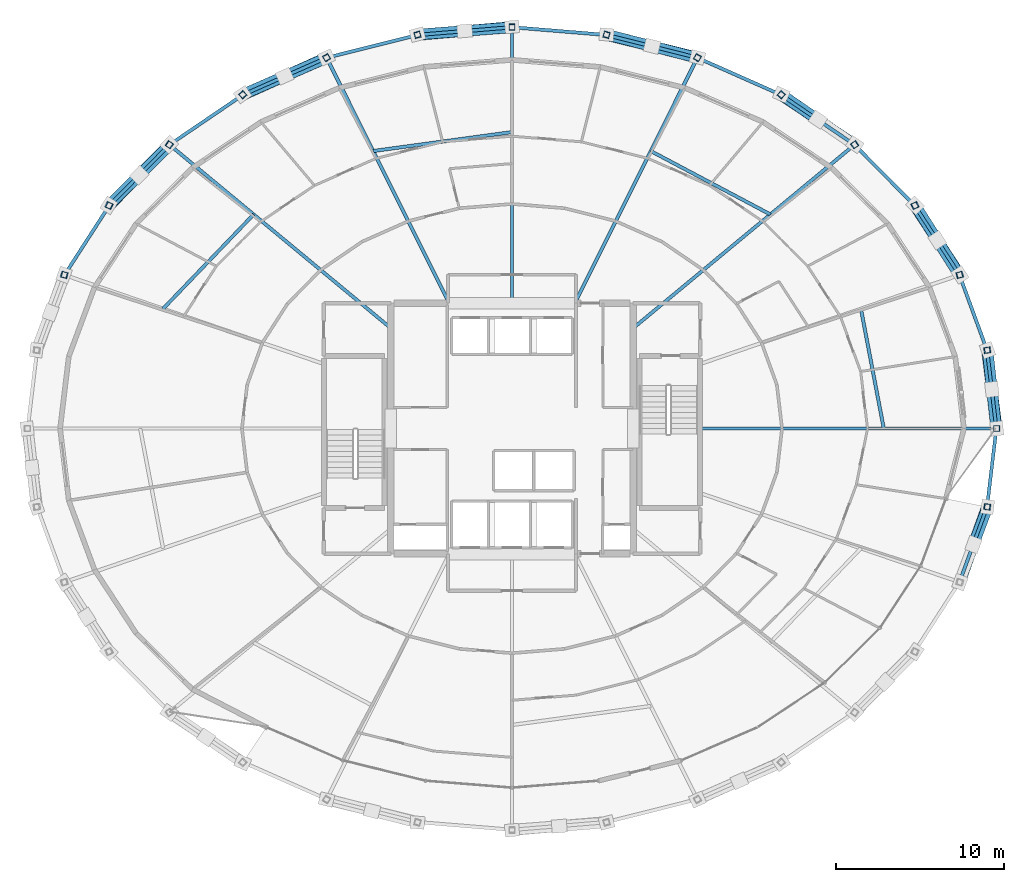
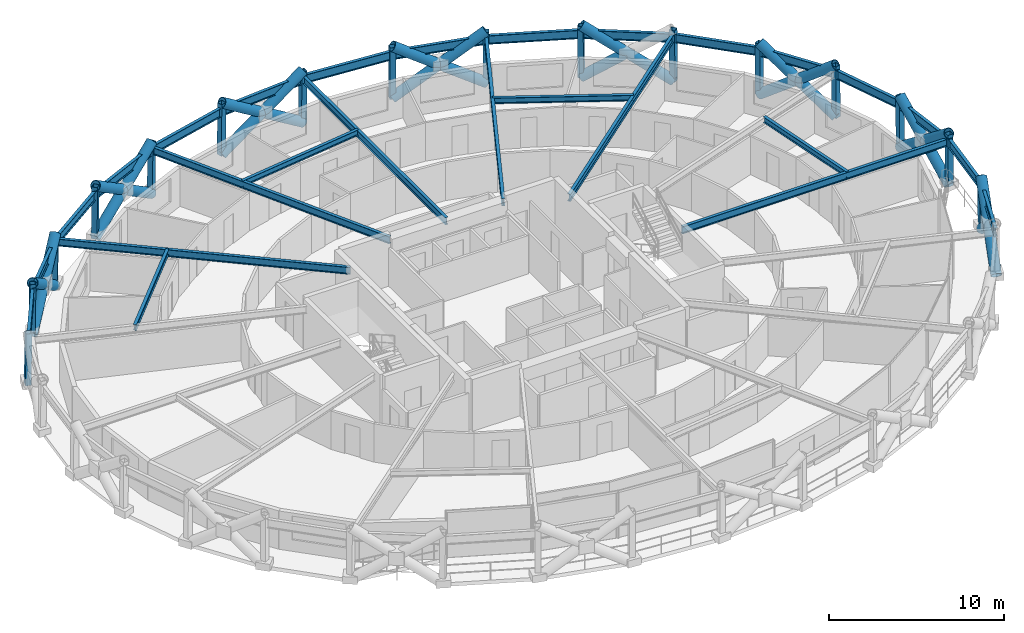
# One storey, part 13 of 23: 38 members, 26 beams.
"""IFC4 building model written with IfcOpenShell, lengths in metres."""

from ifc_helpers import new_model, si_unit, direction, frame, origin, origin_2d, place, context, subcontext, project, spatial, hollow_rectangle, hollow_circle, i_section, extrude, material, material_profile, profile_set, type_object, element, save


model = new_model("IFC4")

# Units and contexts
model_context = context("Model", 3, precision=1e-05, world=origin(), true_north=direction((0.0, 1.0)))
body_context = subcontext(model_context, "Body", "Model", "MODEL_VIEW")
ifc_project = project(units=[si_unit("LENGTHUNIT", "METRE"), si_unit("AREAUNIT", "SQUARE_METRE"), si_unit("VOLUMEUNIT", "CUBIC_METRE"), si_unit("PLANEANGLEUNIT", "RADIAN"), si_unit("MASSUNIT", "GRAM", prefix="KILO")], contexts=[model_context])

# Site, building, storey
site_placement = place(None, origin())
site = spatial("IfcSite", under=ifc_project, at=site_placement, CompositionType="ELEMENT")
building_placement = place(site_placement, origin())
building = spatial("IfcBuilding", under=site, at=building_placement, Name="Veldorina Hangang Commons", CompositionType="ELEMENT")
storey_placement = place(building_placement, frame((0.0, 0.0, 102.39990234375)))
storey = spatial("IfcBuildingStorey", under=building, at=storey_placement, Name="L26", CompositionType="ELEMENT", Elevation=102.39990234375)

# Beams
ifc_material_1 = material(Name="Steel SM420-TMC", Category="steel")
ifc_material_profile_1 = material_profile(ifc_material_1, i_section(OverallWidth=0.199951171875, OverallDepth=0.5, WebThickness=0.010009765625, FlangeThickness=0.01611328125, FilletRadius=0.01611328125, at=origin_2d()), Name="H-500x200x10x16")
ifc_profile_set_1 = profile_set([ifc_material_profile_1], Name="Steel SM420-TMC")
beam_type_1 = type_object("IfcBeamType", Name="BM-FG500", PredefinedType="BEAM", material=ifc_profile_set_1)
beam_1_placement = place(storey_placement, frame((43.179931640625, 24.0, 3.050048828125), z_axis=(1.0, 0.0, 0.0), x_axis=(0.0, 1.0, 0.0)))
element("IfcBeam", 1, at=beam_1_placement, inside=storey, type_object=beam_type_1, Name="L26 radial floor girder 01", PredefinedType="BEAM", context=body_context, shape_type="SweptSolid", body=[
    extrude(i_section(OverallWidth=0.199951171875, OverallDepth=0.5, WebThickness=0.010009765625, FlangeThickness=0.01611328125, FilletRadius=0.01611328125, at=origin_2d()), origin(), (0.0, 0.0, 1.0), 17.609130859375),
])
beam_2_placement = place(storey_placement, frame((39.199951171875, 29.96533203125, 3.050048828125), z_axis=(0.770039411269, 0.637996320595, 0.0), x_axis=(-0.637996320595, 0.770039411269, 0.0)))
element("IfcBeam", 2, at=beam_2_placement, inside=storey, type_object=beam_type_1, Name="L26 radial floor girder 03", PredefinedType="BEAM", context=body_context, shape_type="SweptSolid", body=[
    extrude(i_section(OverallWidth=0.199951171875, OverallDepth=0.5, WebThickness=0.010009765625, FlangeThickness=0.01611328125, FilletRadius=0.01611328125, at=origin_2d()), origin(), (0.0, 0.0, 1.0), 17.086181640625),
])
beam_3_placement = place(storey_placement, frame((35.724609375, 31.449951171875, 3.050048828125), z_axis=(0.447171677342, 0.894448148851, 0.0), x_axis=(-0.894448148851, 0.447171677342, 0.0)))
element("IfcBeam", 3, at=beam_3_placement, inside=storey, type_object=beam_type_1, Name="L26 radial floor girder 04", PredefinedType="BEAM", context=body_context, shape_type="SweptSolid", body=[
    extrude(i_section(OverallWidth=0.199951171875, OverallDepth=0.5, WebThickness=0.010009765625, FlangeThickness=0.01611328125, FilletRadius=0.01611328125, at=origin_2d()), origin(), (0.0, 0.0, 1.0), 16.30810546875),
])
beam_4_placement = place(storey_placement, frame((32.0, 31.449951171875, 3.050048828125), z_axis=(0.0, 1.0, 0.0), x_axis=(-1.0, 0.0, 0.0)))
element("IfcBeam", 4, at=beam_4_placement, inside=storey, type_object=beam_type_1, Name="L26 radial floor girder 05", PredefinedType="BEAM", context=body_context, shape_type="SweptSolid", body=[
    extrude(i_section(OverallWidth=0.199951171875, OverallDepth=0.5, WebThickness=0.010009765625, FlangeThickness=0.01611328125, FilletRadius=0.01611328125, at=origin_2d()), origin(), (0.0, 0.0, 1.0), 16.40234375),
])
beam_5_placement = place(storey_placement, frame((28.275390625, 31.449951171875, 3.050048828125), z_axis=(-0.447171677342, 0.894448148851, 0.0), x_axis=(-0.894448148851, -0.447171677342, 0.0)))
element("IfcBeam", 5, at=beam_5_placement, inside=storey, type_object=beam_type_1, Name="L26 radial floor girder 06", PredefinedType="BEAM", context=body_context, shape_type="SweptSolid", body=[
    extrude(i_section(OverallWidth=0.199951171875, OverallDepth=0.5, WebThickness=0.010009765625, FlangeThickness=0.01611328125, FilletRadius=0.01611328125, at=origin_2d()), origin(), (0.0, 0.0, 1.0), 16.30810546875),
])
beam_6_placement = place(storey_placement, frame((24.800048828125, 29.96533203125, 3.050048828125), z_axis=(-0.770039411269, 0.637996320595, 0.0), x_axis=(-0.637996320595, -0.770039411269, 0.0)))
element("IfcBeam", 6, at=beam_6_placement, inside=storey, type_object=beam_type_1, Name="L26 radial floor girder 07", PredefinedType="BEAM", context=body_context, shape_type="SweptSolid", body=[
    extrude(i_section(OverallWidth=0.199951171875, OverallDepth=0.5, WebThickness=0.010009765625, FlangeThickness=0.01611328125, FilletRadius=0.01611328125, at=origin_2d()), origin(), (0.0, 0.0, 1.0), 17.086181640625),
])
ifc_material_2 = material(Name="Steel SM355-TMC", Category="steel")
ifc_material_profile_2 = material_profile(ifc_material_2, i_section(OverallWidth=0.199951171875, OverallDepth=0.39990234375, WebThickness=0.008056640625, FlangeThickness=0.012939453125, FilletRadius=0.012939453125, at=origin_2d()), Name="H-400x200x8x13")
ifc_profile_set_2 = profile_set([ifc_material_profile_2], Name="Steel SM355-TMC")
beam_type_2 = type_object("IfcBeamType", Name="BM-JST400", PredefinedType="JOIST", material=ifc_profile_set_2)
beam_7_placement = place(storey_placement, frame((54.09765625, 24.0, 3.10009765625), z_axis=(-0.187542521818, 0.982256485094, 0.0), x_axis=(-0.982256485094, -0.187542521818, 0.0)))
element("IfcBeam", 7, at=beam_7_placement, inside=storey, type_object=beam_type_2, Name="L26 secondary floor joist 01", PredefinedType="JOIST", context=body_context, shape_type="SweptSolid", body=[
    extrude(i_section(OverallWidth=0.199951171875, OverallDepth=0.39990234375, WebThickness=0.008056640625, FlangeThickness=0.012939453125, FilletRadius=0.012939453125, at=origin_2d()), origin(), (0.0, 0.0, 1.0), 7.245849609375),
])
beam_8_placement = place(storey_placement, frame((47.357421875, 36.723876953125, 3.10009765625), z_axis=(-0.883527338099, 0.468379592672, 0.0), x_axis=(-0.468379592672, -0.883527338099, 0.0)))
element("IfcBeam", 8, at=beam_8_placement, inside=storey, type_object=beam_type_2, Name="L26 secondary floor joist 03", PredefinedType="JOIST", context=body_context, shape_type="SweptSolid", body=[
    extrude(i_section(OverallWidth=0.199951171875, OverallDepth=0.39990234375, WebThickness=0.008056640625, FlangeThickness=0.012939453125, FilletRadius=0.012939453125, at=origin_2d()), origin(), (0.0, 0.0, 1.0), 8.049072265625),
])
beam_9_placement = place(storey_placement, frame((32.0, 41.619384765625, 3.10009765625), z_axis=(-0.990813737972, -0.135233637259, 0.0), x_axis=(0.135233637259, -0.990813737972, 0.0)))
element("IfcBeam", 9, at=beam_9_placement, inside=storey, type_object=beam_type_2, Name="L26 secondary floor joist 05", PredefinedType="JOIST", context=body_context, shape_type="SweptSolid", body=[
    extrude(i_section(OverallWidth=0.199951171875, OverallDepth=0.39990234375, WebThickness=0.008056640625, FlangeThickness=0.012939453125, FilletRadius=0.012939453125, at=origin_2d()), origin(), (0.0, 0.0, 1.0), 8.322509765625),
])
beam_10_placement = place(storey_placement, frame((16.642578125, 36.723876953125, 3.10009765625), z_axis=(-0.692476242095, -0.721440679567, 0.0), x_axis=(0.721440679567, -0.692476242095, 0.0)))
element("IfcBeam", 10, at=beam_10_placement, inside=storey, type_object=beam_type_2, Name="L26 secondary floor joist 07", PredefinedType="JOIST", context=body_context, shape_type="SweptSolid", body=[
    extrude(i_section(OverallWidth=0.199951171875, OverallDepth=0.39990234375, WebThickness=0.008056640625, FlangeThickness=0.012939453125, FilletRadius=0.012939453125, at=origin_2d()), origin(), (0.0, 0.0, 1.0), 7.771484375),
])
ifc_material_profile_3 = material_profile(ifc_material_1, i_section(OverallWidth=0.199951171875, OverallDepth=0.60009765625, WebThickness=0.010986328125, FlangeThickness=0.01708984375, FilletRadius=0.01806640625, at=origin_2d()), Name="H-600x200x11x17")
ifc_profile_set_3 = profile_set([ifc_material_profile_3], Name="Steel SM420-TMC")
beam_type_3 = type_object("IfcBeamType", Name="BM-RB600", PredefinedType="BEAM", material=ifc_profile_set_3)
beam_11_placement = place(storey_placement, frame((60.7890625, 24.0, 3.0), z_axis=(-0.118056329225, 0.99300689984, 0.0), x_axis=(-0.99300689984, -0.118056329225, 0.0)))
element("IfcBeam", 11, at=beam_11_placement, inside=storey, type_object=beam_type_3, Name="L26 perimeter hoop ring beam 00", PredefinedType="BEAM", context=body_context, shape_type="SweptSolid", body=[
    extrude(i_section(OverallWidth=0.199951171875, OverallDepth=0.60009765625, WebThickness=0.010986328125, FlangeThickness=0.01708984375, FilletRadius=0.01806640625, at=origin_2d()), origin(), (0.0, 0.0, 1.0), 4.68603515625),
])
beam_12_placement = place(storey_placement, frame((60.23583984375, 28.6533203125, 3.0), z_axis=(-0.3438361062, 0.939029675821, 0.0), x_axis=(-0.939029675821, -0.3438361062, 0.0)))
element("IfcBeam", 12, at=beam_12_placement, inside=storey, type_object=beam_type_3, Name="L26 perimeter hoop ring beam 01", PredefinedType="BEAM", context=body_context, shape_type="SweptSolid", body=[
    extrude(i_section(OverallWidth=0.199951171875, OverallDepth=0.60009765625, WebThickness=0.010986328125, FlangeThickness=0.01708984375, FilletRadius=0.01806640625, at=origin_2d()), origin(), (0.0, 0.0, 1.0), 4.76513671875),
])
beam_13_placement = place(storey_placement, frame((58.597412109375, 33.1279296875, 3.0), z_axis=(-0.542077009113, 0.840328814329, 0.0), x_axis=(-0.840328814329, -0.542077009113, 0.0)))
element("IfcBeam", 13, at=beam_13_placement, inside=storey, type_object=beam_type_3, Name="L26 perimeter hoop ring beam 02", PredefinedType="BEAM", context=body_context, shape_type="SweptSolid", body=[
    extrude(i_section(OverallWidth=0.199951171875, OverallDepth=0.60009765625, WebThickness=0.010986328125, FlangeThickness=0.01708984375, FilletRadius=0.01806640625, at=origin_2d()), origin(), (0.0, 0.0, 1.0), 4.9072265625),
])
beam_14_placement = place(storey_placement, frame((55.937255859375, 37.251708984375, 3.0), z_axis=(-0.703739663075, 0.710457941482, 0.0), x_axis=(-0.710457941482, -0.703739663075, 0.0)))
element("IfcBeam", 14, at=beam_14_placement, inside=storey, type_object=beam_type_3, Name="L26 perimeter hoop ring beam 03", PredefinedType="BEAM", context=body_context, shape_type="SweptSolid", body=[
    extrude(i_section(OverallWidth=0.199951171875, OverallDepth=0.60009765625, WebThickness=0.010986328125, FlangeThickness=0.01708984375, FilletRadius=0.01806640625, at=origin_2d()), origin(), (0.0, 0.0, 1.0), 5.087646484375),
])
beam_15_placement = place(storey_placement, frame((52.35693359375, 40.8662109375, 3.0), z_axis=(-0.826946298933, 0.562280907271, 0.0), x_axis=(-0.562280907271, -0.826946298933, 0.0)))
element("IfcBeam", 15, at=beam_15_placement, inside=storey, type_object=beam_type_3, Name="L26 perimeter hoop ring beam 04", PredefinedType="BEAM", context=body_context, shape_type="SweptSolid", body=[
    extrude(i_section(OverallWidth=0.199951171875, OverallDepth=0.60009765625, WebThickness=0.010986328125, FlangeThickness=0.01708984375, FilletRadius=0.01806640625, at=origin_2d()), origin(), (0.0, 0.0, 1.0), 5.275390625),
])
beam_16_placement = place(storey_placement, frame((47.994384765625, 43.83251953125, 3.0), z_axis=(-0.914358166606, 0.404906338751, 0.0), x_axis=(-0.404906338751, -0.914358166606, 0.0)))
element("IfcBeam", 16, at=beam_16_placement, inside=storey, type_object=beam_type_3, Name="L26 perimeter hoop ring beam 05", PredefinedType="BEAM", context=body_context, shape_type="SweptSolid", body=[
    extrude(i_section(OverallWidth=0.199951171875, OverallDepth=0.60009765625, WebThickness=0.010986328125, FlangeThickness=0.01708984375, FilletRadius=0.01806640625, at=origin_2d()), origin(), (0.0, 0.0, 1.0), 5.443603515625),
])
beam_17_placement = place(storey_placement, frame((43.01708984375, 46.03662109375, 3.0), z_axis=(-0.969834827594, 0.243763014394, 0.0), x_axis=(-0.243763014394, -0.969834827594, 0.0)))
element("IfcBeam", 17, at=beam_17_placement, inside=storey, type_object=beam_type_3, Name="L26 perimeter hoop ring beam 06", PredefinedType="BEAM", context=body_context, shape_type="SweptSolid", body=[
    extrude(i_section(OverallWidth=0.199951171875, OverallDepth=0.60009765625, WebThickness=0.010986328125, FlangeThickness=0.01708984375, FilletRadius=0.01806640625, at=origin_2d()), origin(), (0.0, 0.0, 1.0), 5.568603515625),
])
for number, where, z_axis, x_axis, name in (
    (18, (37.616455078125, 47.39404296875, 3.0), (-0.996687984877, 0.081320727999, 0.0), (-0.081320727999, -0.996687984877, 0.0), "L26 perimeter hoop ring beam 07"),
    (19, (32.0, 47.852294921875, 3.0), (-0.996687984877, -0.081320727999, 0.0), (0.081320727999, -0.996687984877, 0.0), "L26 perimeter hoop ring beam 08"),
):
    element("IfcBeam", number, at=place(storey_placement, frame(where, z_axis=z_axis, x_axis=x_axis)), inside=storey, type_object=beam_type_3, Name=name, PredefinedType="BEAM", context=body_context, shape_type="SweptSolid", body=[
        extrude(i_section(OverallWidth=0.199951171875, OverallDepth=0.60009765625, WebThickness=0.010986328125, FlangeThickness=0.01708984375, FilletRadius=0.01806640625, at=origin_2d()), origin(), (0.0, 0.0, 1.0), 5.635009765625),
    ])
beam_18_placement = place(storey_placement, frame((26.383544921875, 47.39404296875, 3.0), z_axis=(-0.969834827594, -0.243763014394, 0.0), x_axis=(0.243763014394, -0.969834827594, 0.0)))
element("IfcBeam", 20, at=beam_18_placement, inside=storey, type_object=beam_type_3, Name="L26 perimeter hoop ring beam 09", PredefinedType="BEAM", context=body_context, shape_type="SweptSolid", body=[
    extrude(i_section(OverallWidth=0.199951171875, OverallDepth=0.60009765625, WebThickness=0.010986328125, FlangeThickness=0.01708984375, FilletRadius=0.01806640625, at=origin_2d()), origin(), (0.0, 0.0, 1.0), 5.568603515625),
])
beam_19_placement = place(storey_placement, frame((20.98291015625, 46.03662109375, 3.0), z_axis=(-0.914358166606, -0.404906338751, 0.0), x_axis=(0.404906338751, -0.914358166606, 0.0)))
element("IfcBeam", 21, at=beam_19_placement, inside=storey, type_object=beam_type_3, Name="L26 perimeter hoop ring beam 10", PredefinedType="BEAM", context=body_context, shape_type="SweptSolid", body=[
    extrude(i_section(OverallWidth=0.199951171875, OverallDepth=0.60009765625, WebThickness=0.010986328125, FlangeThickness=0.01708984375, FilletRadius=0.01806640625, at=origin_2d()), origin(), (0.0, 0.0, 1.0), 5.443603515625),
])
beam_20_placement = place(storey_placement, frame((16.005615234375, 43.83251953125, 3.0), z_axis=(-0.826946298933, -0.562280907271, 0.0), x_axis=(0.562280907271, -0.826946298933, 0.0)))
element("IfcBeam", 22, at=beam_20_placement, inside=storey, type_object=beam_type_3, Name="L26 perimeter hoop ring beam 11", PredefinedType="BEAM", context=body_context, shape_type="SweptSolid", body=[
    extrude(i_section(OverallWidth=0.199951171875, OverallDepth=0.60009765625, WebThickness=0.010986328125, FlangeThickness=0.01708984375, FilletRadius=0.01806640625, at=origin_2d()), origin(), (0.0, 0.0, 1.0), 5.275390625),
])
beam_21_placement = place(storey_placement, frame((11.64306640625, 40.8662109375, 3.0), z_axis=(-0.703739663075, -0.710457941482, 0.0), x_axis=(0.710457941482, -0.703739663075, 0.0)))
element("IfcBeam", 23, at=beam_21_placement, inside=storey, type_object=beam_type_3, Name="L26 perimeter hoop ring beam 12", PredefinedType="BEAM", context=body_context, shape_type="SweptSolid", body=[
    extrude(i_section(OverallWidth=0.199951171875, OverallDepth=0.60009765625, WebThickness=0.010986328125, FlangeThickness=0.01708984375, FilletRadius=0.01806640625, at=origin_2d()), origin(), (0.0, 0.0, 1.0), 5.087646484375),
])
beam_22_placement = place(storey_placement, frame((8.062744140625, 37.251708984375, 3.0), z_axis=(-0.542112138845, -0.840306151898, 0.0), x_axis=(0.840306151898, -0.542112138845, 0.0)))
element("IfcBeam", 24, at=beam_22_placement, inside=storey, type_object=beam_type_3, Name="L26 perimeter hoop ring beam 13", PredefinedType="BEAM", context=body_context, shape_type="SweptSolid", body=[
    extrude(i_section(OverallWidth=0.199951171875, OverallDepth=0.60009765625, WebThickness=0.010986328125, FlangeThickness=0.01708984375, FilletRadius=0.01806640625, at=origin_2d()), origin(), (0.0, 0.0, 1.0), 4.907470703125),
])
beam_23_placement = place(storey_placement, frame((58.597412109375, 14.8720703125, 3.0), z_axis=(0.3438361062, 0.939029675821, 0.0), x_axis=(-0.939029675821, 0.3438361062, 0.0)))
element("IfcBeam", 25, at=beam_23_placement, inside=storey, type_object=beam_type_3, Name="L26 perimeter hoop ring beam 30", PredefinedType="BEAM", context=body_context, shape_type="SweptSolid", body=[
    extrude(i_section(OverallWidth=0.199951171875, OverallDepth=0.60009765625, WebThickness=0.010986328125, FlangeThickness=0.01708984375, FilletRadius=0.01806640625, at=origin_2d()), origin(), (0.0, 0.0, 1.0), 4.76513671875),
])
beam_24_placement = place(storey_placement, frame((60.23583984375, 19.3466796875, 3.0), z_axis=(0.118056329225, 0.99300689984, 0.0), x_axis=(-0.99300689984, 0.118056329225, 0.0)))
element("IfcBeam", 26, at=beam_24_placement, inside=storey, type_object=beam_type_3, Name="L26 perimeter hoop ring beam 31", PredefinedType="BEAM", context=body_context, shape_type="SweptSolid", body=[
    extrude(i_section(OverallWidth=0.199951171875, OverallDepth=0.60009765625, WebThickness=0.010986328125, FlangeThickness=0.01708984375, FilletRadius=0.01806640625, at=origin_2d()), origin(), (0.0, 0.0, 1.0), 4.68603515625),
])

# Members
ifc_material_3 = material(Name="Steel SM460-TMC", Category="steel")
ifc_material_profile_4 = material_profile(ifc_material_3, hollow_circle(Radius=0.324951171875, WallThickness=0.031982421875, at=origin_2d()), Name="CHS-650x32")
ifc_profile_set_4 = profile_set([ifc_material_profile_4], Name="Steel SM460-TMC")
member_type_1 = type_object("IfcMemberType", Name="DG-CHS650", PredefinedType="BRACE", material=ifc_profile_set_4)
member_1_placement = place(storey_placement, frame((60.819580078125, 24.0, 0.0), z_axis=(-0.099765671639, 0.786934770047, 0.608917464402), x_axis=(-0.992059317953, -0.12577086174, 0.0)))
element("IfcMember", 27, at=member_1_placement, inside=storey, type_object=member_type_1, Name="L26 continuous perimeter diagrid brace 00", PredefinedType="BRACE", context=body_context, shape_type="SweptSolid", body=[
    extrude(hollow_circle(Radius=0.324951171875, WallThickness=0.031982421875, at=origin_2d()), origin(), (0.0, 0.0, 1.0), 5.912353515625),
])
member_2_placement = place(storey_placement, frame((60.265869140625, 28.657470703125, 0.0), z_axis=(0.087455114992, -0.788169610462, 0.609212826528), x_axis=(0.993900233368, 0.110282936624, 0.0)))
element("IfcMember", 28, at=member_2_placement, inside=storey, type_object=member_type_1, Name="L26 split perimeter diagrid lower brace 01", PredefinedType="BRACE", context=body_context, shape_type="SweptSolid", body=[
    extrude(hollow_circle(Radius=0.324951171875, WallThickness=0.031982421875, at=origin_2d()), origin(), (0.0, 0.0, 1.0), 2.956298828125),
])
member_3_placement = place(storey_placement, frame((60.5244140625, 26.327392578125, 1.801025390625), z_axis=(0.087553039523, -0.788142706113, 0.609233567748), x_axis=(0.993886277275, 0.110408640264, 0.0)))
element("IfcMember", 29, at=member_3_placement, inside=storey, type_object=member_type_1, Name="L26 split perimeter diagrid upper brace 01", PredefinedType="BRACE", context=body_context, shape_type="SweptSolid", body=[
    extrude(hollow_circle(Radius=0.324951171875, WallThickness=0.031982421875, at=origin_2d()), origin(), (0.0, 0.0, 1.0), 2.953125),
])
member_4_placement = place(storey_placement, frame((58.625732421875, 33.135986328125, 0.0), z_axis=(-0.442018336288, 0.674986398058, 0.590773351482), x_axis=(-0.83658276717, -0.547840554973, 0.0)))
element("IfcMember", 30, at=member_4_placement, inside=storey, type_object=member_type_1, Name="L26 continuous perimeter diagrid brace 02", PredefinedType="BRACE", context=body_context, shape_type="SweptSolid", body=[
    extrude(hollow_circle(Radius=0.324951171875, WallThickness=0.031982421875, at=origin_2d()), origin(), (0.0, 0.0, 1.0), 6.093994140625),
])
member_5_placement = place(storey_placement, frame((55.962646484375, 37.263427734375, 0.0), z_axis=(0.432407406292, -0.680185114704, 0.591922329972), x_axis=(0.843907352672, 0.536488937543, 0.0)))
element("IfcMember", 31, at=member_5_placement, inside=storey, type_object=member_type_1, Name="L26 split perimeter diagrid lower brace 03", PredefinedType="BRACE", context=body_context, shape_type="SweptSolid", body=[
    extrude(hollow_circle(Radius=0.324951171875, WallThickness=0.031982421875, at=origin_2d()), origin(), (0.0, 0.0, 1.0), 3.042724609375),
])
member_6_placement = place(storey_placement, frame((57.2783203125, 35.19384765625, 1.801025390625), z_axis=(0.432173096383, -0.68031114373, 0.591948614729), x_axis=(0.844083933626, 0.536211071308, 0.0)))
element("IfcMember", 32, at=member_6_placement, inside=storey, type_object=member_type_1, Name="L26 split perimeter diagrid upper brace 03", PredefinedType="BRACE", context=body_context, shape_type="SweptSolid", body=[
    extrude(hollow_circle(Radius=0.324951171875, WallThickness=0.031982421875, at=origin_2d()), origin(), (0.0, 0.0, 1.0), 3.039306640625),
])
member_7_placement = place(storey_placement, frame((52.37841796875, 40.88134765625, 0.0), z_axis=(-0.686044551998, 0.460926043115, 0.562929885024), x_axis=(-0.557681121807, -0.830055279111, 0.0)))
element("IfcMember", 33, at=member_7_placement, inside=storey, type_object=member_type_1, Name="L26 continuous perimeter diagrid brace 04", PredefinedType="BRACE", context=body_context, shape_type="SweptSolid", body=[
    extrude(hollow_circle(Radius=0.324951171875, WallThickness=0.031982421875, at=origin_2d()), origin(), (0.0, 0.0, 1.0), 6.395263671875),
])
member_8_placement = place(storey_placement, frame((48.01123046875, 43.850341796875, 0.0), z_axis=(0.680254973164, -0.468005023124, 0.564113880184), x_axis=(0.566799958163, 0.823855452993, 0.0)))
element("IfcMember", 34, at=member_8_placement, inside=storey, type_object=member_type_1, Name="L26 split perimeter diagrid lower brace 05", PredefinedType="BRACE", context=body_context, shape_type="SweptSolid", body=[
    extrude(hollow_circle(Radius=0.324951171875, WallThickness=0.031982421875, at=origin_2d()), origin(), (0.0, 0.0, 1.0), 3.193115234375),
])
member_9_placement = place(storey_placement, frame((43.02880859375, 46.056396484375, 0.0), z_axis=(-0.8157035138, 0.200927779939, 0.542453504757), x_axis=(-0.239175300549, -0.970976403219, 0.0)))
element("IfcMember", 35, at=member_9_placement, inside=storey, type_object=member_type_1, Name="L26 continuous perimeter diagrid brace 06", PredefinedType="BRACE", context=body_context, shape_type="SweptSolid", body=[
    extrude(hollow_circle(Radius=0.324951171875, WallThickness=0.031982421875, at=origin_2d()), origin(), (0.0, 0.0, 1.0), 6.63671875),
])
member_10_placement = place(storey_placement, frame((37.622314453125, 47.4150390625, 0.0), z_axis=(0.813410174456, -0.208449698132, 0.543058570911), x_axis=(0.248244592546, 0.96869738426, 0.0)))
element("IfcMember", 36, at=member_10_placement, inside=storey, type_object=member_type_1, Name="L26 split perimeter diagrid lower brace 07", PredefinedType="BRACE", context=body_context, shape_type="SweptSolid", body=[
    extrude(hollow_circle(Radius=0.324951171875, WallThickness=0.031982421875, at=origin_2d()), origin(), (0.0, 0.0, 1.0), 3.31689453125),
])
member_11_placement = place(storey_placement, frame((40.3203125, 46.7236328125, 1.80126953125), z_axis=(0.813386652004, -0.208579578214, 0.543043933668), x_axis=(0.248396467615, 0.968658451094, 0.0)))
element("IfcMember", 37, at=member_11_placement, inside=storey, type_object=member_type_1, Name="L26 split perimeter diagrid upper brace 07", PredefinedType="BRACE", context=body_context, shape_type="SweptSolid", body=[
    extrude(hollow_circle(Radius=0.324951171875, WallThickness=0.031982421875, at=origin_2d()), origin(), (0.0, 0.0, 1.0), 3.3125),
])
member_12_placement = place(storey_placement, frame((32.0, 47.873779296875, 0.0), z_axis=(-0.839632581697, -0.072354425084, 0.538314002161), x_axis=(0.085855722802, -0.99630758045, 0.0)))
element("IfcMember", 38, at=member_12_placement, inside=storey, type_object=member_type_1, Name="L26 continuous perimeter diagrid brace 08", PredefinedType="BRACE", context=body_context, shape_type="SweptSolid", body=[
    extrude(hollow_circle(Radius=0.324951171875, WallThickness=0.031982421875, at=origin_2d()), origin(), (0.0, 0.0, 1.0), 6.687744140625),
])
member_13_placement = place(storey_placement, frame((26.377685546875, 47.4150390625, 0.0), z_axis=(0.840377082238, 0.064694885605, 0.538127244641), x_axis=(-0.076756054809, 0.997049902487, 0.0)))
element("IfcMember", 39, at=member_13_placement, inside=storey, type_object=member_type_1, Name="L26 split perimeter diagrid lower brace 09", PredefinedType="BRACE", context=body_context, shape_type="SweptSolid", body=[
    extrude(hollow_circle(Radius=0.324951171875, WallThickness=0.031982421875, at=origin_2d()), origin(), (0.0, 0.0, 1.0), 3.347412109375),
])
member_14_placement = place(storey_placement, frame((29.190673828125, 47.631591796875, 1.80126953125), z_axis=(0.840385536305, 0.064779870575, 0.538103817806), x_axis=(-0.076855519875, 0.997042240361, 0.0)))
element("IfcMember", 40, at=member_14_placement, inside=storey, type_object=member_type_1, Name="L26 split perimeter diagrid upper brace 09", PredefinedType="BRACE", context=body_context, shape_type="SweptSolid", body=[
    extrude(hollow_circle(Radius=0.324951171875, WallThickness=0.031982421875, at=origin_2d()), origin(), (0.0, 0.0, 1.0), 3.343017578125),
])
member_15_placement = place(storey_placement, frame((20.97119140625, 46.056396484375, 0.0), z_axis=(-0.760761610043, -0.341472480611, 0.551940501929), x_axis=(0.409496629782, -0.91231162998, 0.0)))
element("IfcMember", 41, at=member_15_placement, inside=storey, type_object=member_type_1, Name="L26 continuous perimeter diagrid brace 10", PredefinedType="BRACE", context=body_context, shape_type="SweptSolid", body=[
    extrude(hollow_circle(Radius=0.324951171875, WallThickness=0.031982421875, at=origin_2d()), origin(), (0.0, 0.0, 1.0), 6.522705078125),
])
member_16_placement = place(storey_placement, frame((15.98876953125, 43.850341796875, 0.0), z_axis=(0.764739655037, 0.333934075366, 0.551054709919), x_axis=(-0.400175475275, 0.916438535303, 0.0)))
element("IfcMember", 42, at=member_16_placement, inside=storey, type_object=member_type_1, Name="L26 split perimeter diagrid lower brace 11", PredefinedType="BRACE", context=body_context, shape_type="SweptSolid", body=[
    extrude(hollow_circle(Radius=0.324951171875, WallThickness=0.031982421875, at=origin_2d()), origin(), (0.0, 0.0, 1.0), 3.268798828125),
])
member_17_placement = place(storey_placement, frame((18.488525390625, 44.94189453125, 1.80126953125), z_axis=(0.764739503753, 0.334101506088, 0.550953423648), x_axis=(-0.400344033769, 0.916364913463, 0.0)))
element("IfcMember", 43, at=member_17_placement, inside=storey, type_object=member_type_1, Name="L26 split perimeter diagrid upper brace 11", PredefinedType="BRACE", context=body_context, shape_type="SweptSolid", body=[
    extrude(hollow_circle(Radius=0.324951171875, WallThickness=0.031982421875, at=origin_2d()), origin(), (0.0, 0.0, 1.0), 3.264892578125),
])
member_18_placement = place(storey_placement, frame((11.62158203125, 40.88134765625, 0.0), z_axis=(-0.570649451496, -0.583233847891, 0.578098159642), x_axis=(0.714776068932, -0.699353395132, 0.0)))
element("IfcMember", 44, at=member_18_placement, inside=storey, type_object=member_type_1, Name="L26 continuous perimeter diagrid brace 12", PredefinedType="BRACE", context=body_context, shape_type="SweptSolid", body=[
    extrude(hollow_circle(Radius=0.324951171875, WallThickness=0.031982421875, at=origin_2d()), origin(), (0.0, 0.0, 1.0), 6.2275390625),
])
member_19_placement = place(storey_placement, frame((8.037353515625, 37.263427734375, 0.0), z_axis=(0.578496420704, 0.576698148278, 0.576854519793), x_axis=(-0.706005184248, 0.708206664622, 0.0)))
element("IfcMember", 45, at=member_19_placement, inside=storey, type_object=member_type_1, Name="L26 split perimeter diagrid lower brace 13", PredefinedType="BRACE", context=body_context, shape_type="SweptSolid", body=[
    extrude(hollow_circle(Radius=0.324951171875, WallThickness=0.031982421875, at=origin_2d()), origin(), (0.0, 0.0, 1.0), 3.12255859375),
])
member_20_placement = place(storey_placement, frame((9.84375, 39.064208984375, 1.80126953125), z_axis=(0.578367521204, 0.576880111499, 0.576801826777), x_axis=(-0.706195778499, 0.708016611691, 0.0)))
element("IfcMember", 46, at=member_20_placement, inside=storey, type_object=member_type_1, Name="L26 split perimeter diagrid upper brace 13", PredefinedType="BRACE", context=body_context, shape_type="SweptSolid", body=[
    extrude(hollow_circle(Radius=0.324951171875, WallThickness=0.031982421875, at=origin_2d()), origin(), (0.0, 0.0, 1.0), 3.11865234375),
])
member_21_placement = place(storey_placement, frame((58.625732421875, 14.864013671875, 0.0), z_axis=(0.268701900147, 0.751056574474, 0.603086486996), x_axis=(-0.941556168768, 0.336856024222, 0.0)))
element("IfcMember", 47, at=member_21_placement, inside=storey, type_object=member_type_1, Name="L26 continuous perimeter diagrid brace 30", PredefinedType="BRACE", context=body_context, shape_type="SweptSolid", body=[
    extrude(hollow_circle(Radius=0.324951171875, WallThickness=0.031982421875, at=origin_2d()), origin(), (0.0, 0.0, 1.0), 5.969482421875),
])
member_22_placement = place(storey_placement, frame((60.265869140625, 19.342529296875, 0.0), z_axis=(-0.280100262448, -0.747559925164, 0.602244137593), x_axis=(0.936425802, -0.350865668523, 0.0)))
element("IfcMember", 48, at=member_22_placement, inside=storey, type_object=member_type_1, Name="L26 split perimeter diagrid lower brace 31", PredefinedType="BRACE", context=body_context, shape_type="SweptSolid", body=[
    extrude(hollow_circle(Radius=0.324951171875, WallThickness=0.031982421875, at=origin_2d()), origin(), (0.0, 0.0, 1.0), 2.990478515625),
])
ifc_material_profile_5 = material_profile(ifc_material_2, hollow_rectangle(XDim=0.35009765625, YDim=0.35009765625, WallThickness=0.01611328125, at=origin_2d()), Name="SHS-350x350x16")
ifc_profile_set_5 = profile_set([ifc_material_profile_5], Name="Steel SM355-TMC")
member_type_2 = type_object("IfcMemberType", Name="STR-SHS350", PredefinedType="STRUT", material=ifc_profile_set_5)
for number, where, z_axis, x_axis, name in (
    (49, (60.819580078125, 24.0, 0.0), (-0.010171723857, 0.0, 0.999948266679), (0.0, -1.0, 0.0), "L26 perimeter ring node post 00"),
    (50, (60.265869140625, 28.657470703125, 0.0), (-0.010036105395, -0.001356230459, 0.999948717299), (0.133917896001, -0.99099243041, 0.0), "L26 perimeter ring node post 01"),
    (51, (58.625732421875, 33.135986328125, 0.0), (-0.009425831661, -0.002712469543, 0.999951896946), (0.276546885391, -0.961000426733, 0.0), "L26 perimeter ring node post 02"),
    (52, (55.962646484375, 37.263427734375, 0.0), (-0.008476504975, -0.003933098308, 0.999956338847), (0.420898081622, -0.90710793453, 0.0), "L26 perimeter ring node post 03"),
    (53, (52.37841796875, 40.88134765625, 0.0), (-0.007188113851, -0.005018117217, 0.999961574021), (0.572423567845, -0.81995808367, 0.0), "L26 perimeter ring node post 04"),
):
    element("IfcMember", number, at=place(storey_placement, frame(where, z_axis=z_axis, x_axis=x_axis)), inside=storey, type_object=member_type_2, Name=name, PredefinedType="STRUT", context=body_context, shape_type="SweptSolid", body=[
        extrude(hollow_rectangle(XDim=0.35009765625, YDim=0.35009765625, WallThickness=0.01611328125, at=origin_2d()), origin(), (0.0, 0.0, 1.0), 3.600341796875),
    ])
for number, where, z_axis, x_axis, name in (
    (54, (48.01123046875, 43.850341796875, 0.0), (-0.00562845794, -0.005899708925, 0.999966756395), (0.72354432643, -0.690277920617, 0.0), "L26 perimeter ring node post 05"),
    (55, (43.02880859375, 46.056396484375, 0.0), (-0.003933154521, -0.006577861872, 0.999970630583), (0.858272659495, -0.513193961347, 0.0), "L26 perimeter ring node post 06"),
    (56, (37.622314453125, 47.4150390625, 0.0), (-0.001966583243, -0.006984761174, 0.999973672484), (0.962574785843, -0.271016201839, 0.0), "L26 perimeter ring node post 07"),
    (57, (32.0, 47.873779296875, 0.0), (0.0, -0.007120394562, 0.999974649669), (1.0, 0.0, 0.0), "L26 perimeter ring node post 08"),
    (58, (26.377685546875, 47.4150390625, 0.0), (0.001966583243, -0.006984761174, 0.999973672484), (0.962574785843, 0.271016201839, 0.0), "L26 perimeter ring node post 09"),
    (59, (20.97119140625, 46.056396484375, 0.0), (0.003933154521, -0.006577861872, 0.999970630583), (0.858272659495, 0.513193961347, 0.0), "L26 perimeter ring node post 10"),
    (60, (15.98876953125, 43.850341796875, 0.0), (0.00562845794, -0.005899708925, 0.999966756395), (0.72354432643, 0.690277920617, 0.0), "L26 perimeter ring node post 11"),
):
    element("IfcMember", number, at=place(storey_placement, frame(where, z_axis=z_axis, x_axis=x_axis)), inside=storey, type_object=member_type_2, Name=name, PredefinedType="STRUT", context=body_context, shape_type="SweptSolid", body=[
        extrude(hollow_rectangle(XDim=0.35009765625, YDim=0.35009765625, WallThickness=0.01611328125, at=origin_2d()), origin(), (0.0, 0.0, 1.0), 3.60009765625),
    ])
for number, where, z_axis, x_axis, name in (
    (61, (11.62158203125, 40.88134765625, 0.0), (0.007188113851, -0.005018117217, 0.999961574021), (0.572423567845, 0.81995808367, 0.0), "L26 perimeter ring node post 12"),
    (62, (8.037353515625, 37.263427734375, 0.0), (0.008476504975, -0.003933098308, 0.999956338847), (0.420898081622, 0.90710793453, 0.0), "L26 perimeter ring node post 13"),
    (63, (5.374267578125, 33.135986328125, 0.0), (0.009425831661, -0.002712469543, 0.999951896946), (0.276546885391, 0.961000426733, 0.0), "L26 perimeter ring node post 14"),
    (64, (60.265869140625, 19.342529296875, 0.0), (-0.010036105395, 0.001356230459, 0.999948717299), (-0.133917896001, -0.99099243041, 0.0), "L26 perimeter ring node post 31"),
):
    element("IfcMember", number, at=place(storey_placement, frame(where, z_axis=z_axis, x_axis=x_axis)), inside=storey, type_object=member_type_2, Name=name, PredefinedType="STRUT", context=body_context, shape_type="SweptSolid", body=[
        extrude(hollow_rectangle(XDim=0.35009765625, YDim=0.35009765625, WallThickness=0.01611328125, at=origin_2d()), origin(), (0.0, 0.0, 1.0), 3.600341796875),
    ])

save(model, "model.ifc")
